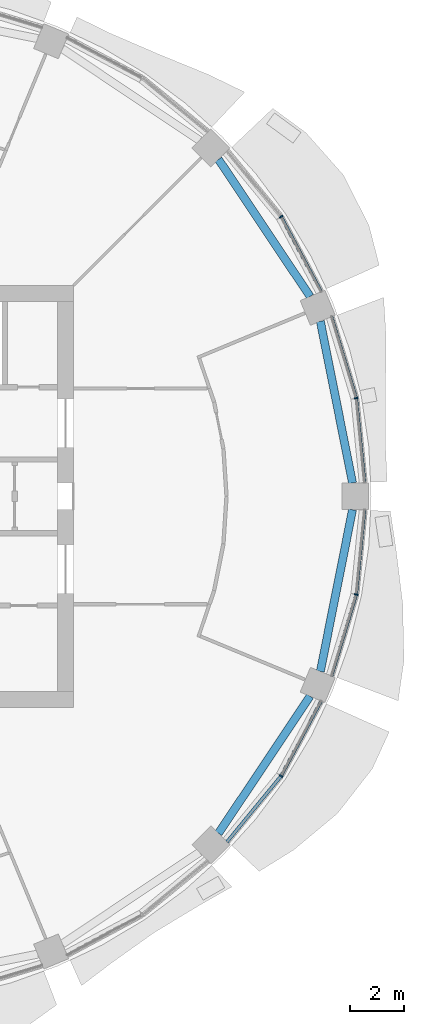
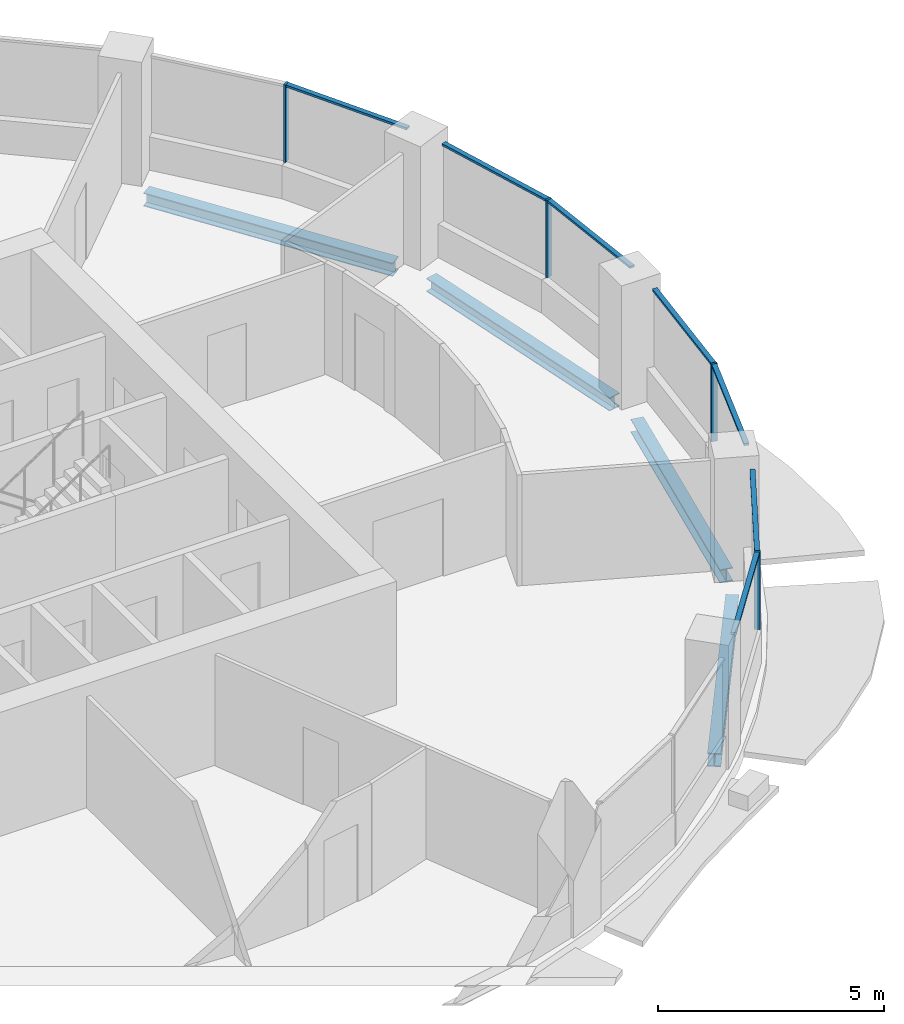
# One storey, part 5 of 15: 11 members, 4 beams, 4 elements without a shape of their own.
"""IFC4 building model written with IfcOpenShell, lengths in metres."""

from ifc_helpers import new_model, si_unit, direction, frame, origin, origin_2d, place, context, subcontext, project, spatial, rectangle, i_section, extrude, material, material_profile, profile_set, type_object, element, aggregate, save


model = new_model("IFC4")

# Units and contexts
model_context = context("Model", 3, precision=1e-05, world=origin(), true_north=direction((0.0, 1.0)))
body_context = subcontext(model_context, "Body", "Model", "MODEL_VIEW")
ifc_project = project(units=[si_unit("LENGTHUNIT", "METRE"), si_unit("AREAUNIT", "SQUARE_METRE"), si_unit("VOLUMEUNIT", "CUBIC_METRE"), si_unit("PLANEANGLEUNIT", "RADIAN"), si_unit("MASSUNIT", "GRAM", prefix="KILO")], contexts=[model_context])

# Site, building, storey
site_placement = place(None, origin())
site = spatial("IfcSite", under=ifc_project, at=site_placement, CompositionType="ELEMENT")
building_placement = place(site_placement, origin())
building = spatial("IfcBuilding", under=site, at=building_placement, Name="Polderwave Tower", CompositionType="ELEMENT")
storey_placement = place(building_placement, frame((0.0, 0.0, 134.35009765625)))
storey = spatial("IfcBuildingStorey", under=building, at=storey_placement, Name="L35", CompositionType="ELEMENT", Elevation=134.35009765625)

# Curtain wall, member
ifc_material_1 = material(Name="Aluminium 6063-T6 and glass", Category="aluminium")
curtain_wall_type = type_object("IfcCurtainWallType", Name="Office ribbon glazing wall", PredefinedType="NOTDEFINED", material=ifc_material_1)
curtain_wall_1_placement = place(storey_placement, origin())
curtain_wall_1 = element("IfcCurtainWall", 1, at=curtain_wall_1_placement, inside=storey, type_object=curtain_wall_type, Name="CW3 L35 00", PredefinedType="NOTDEFINED")
ifc_material_2 = material(Name="Aluminium 6063-T6", Category="aluminium")
ifc_material_profile_1 = material_profile(ifc_material_2, rectangle(XDim=0.139892578125, YDim=0.054931640625, at=origin_2d()), Name="AL 55x140")
ifc_profile_set_1 = profile_set([ifc_material_profile_1], Name="Aluminium 6063-T6")
member_type_1 = type_object("IfcMemberType", Name="Office ribbon glazing mullion 55x140", PredefinedType="MULLION", material=ifc_profile_set_1)
member_1_placement = place(storey_placement, frame((18.4189453125, 3.6640625, 0.89990234375), z_axis=(0.0, 0.0, 1.0), x_axis=(-0.980767570528, -0.195179334461, 0.0)))
member_1 = element("IfcMember", 2, at=member_1_placement, type_object=member_type_1, Name="CW3 mullion 1", PredefinedType="MULLION", context=body_context, shape_type="SweptSolid", body=[
    extrude(rectangle(XDim=0.139892578125, YDim=0.054931640625, at=origin_2d()), origin(), (0.0, 0.0, 1.0), 2.10009765625),
])

curtain_wall_2_placement = place(storey_placement, origin())
curtain_wall_2 = element("IfcCurtainWall", 3, at=curtain_wall_2_placement, inside=storey, type_object=curtain_wall_type, Name="CW3 L35 01", PredefinedType="NOTDEFINED")
member_2_placement = place(storey_placement, frame((15.614990234375, 10.43408203125, 0.89990234375), z_axis=(0.0, 0.0, 1.0), x_axis=(-0.831411428565, -0.555657301267, 0.0)))
member_2 = element("IfcMember", 4, at=member_2_placement, type_object=member_type_1, Name="CW3 mullion 1", PredefinedType="MULLION", context=body_context, shape_type="SweptSolid", body=[
    extrude(rectangle(XDim=0.139892578125, YDim=0.054931640625, at=origin_2d()), origin(), (0.0, 0.0, 1.0), 2.10009765625),
])

curtain_wall_3_placement = place(storey_placement, origin())
curtain_wall_3 = element("IfcCurtainWall", 5, at=curtain_wall_3_placement, inside=storey, type_object=curtain_wall_type, Name="CW3 L35 14", PredefinedType="NOTDEFINED")
member_3_placement = place(storey_placement, frame((15.614990234375, -10.43408203125, 0.89990234375), z_axis=(0.0, 0.0, 1.0), x_axis=(-0.831411428565, 0.555657301267, 0.0)))
member_3 = element("IfcMember", 6, at=member_3_placement, type_object=member_type_1, Name="CW3 mullion 1", PredefinedType="MULLION", context=body_context, shape_type="SweptSolid", body=[
    extrude(rectangle(XDim=0.139892578125, YDim=0.054931640625, at=origin_2d()), origin(), (0.0, 0.0, 1.0), 2.10009765625),
])

curtain_wall_4_placement = place(storey_placement, origin())
curtain_wall_4 = element("IfcCurtainWall", 7, at=curtain_wall_4_placement, inside=storey, type_object=curtain_wall_type, Name="CW3 L35 15", PredefinedType="NOTDEFINED")
member_4_placement = place(storey_placement, frame((18.4189453125, -3.6640625, 0.89990234375), z_axis=(0.0, 0.0, 1.0), x_axis=(-0.980767570528, 0.195179334461, 0.0)))
member_4 = element("IfcMember", 8, at=member_4_placement, type_object=member_type_1, Name="CW3 mullion 1", PredefinedType="MULLION", context=body_context, shape_type="SweptSolid", body=[
    extrude(rectangle(XDim=0.139892578125, YDim=0.054931640625, at=origin_2d()), origin(), (0.0, 0.0, 1.0), 2.10009765625),
])

# Member
ifc_material_profile_2 = material_profile(ifc_material_2, rectangle(XDim=0.1201171875, YDim=0.06005859375, at=origin_2d()), Name="AL 60x120")
ifc_profile_set_2 = profile_set([ifc_material_profile_2], Name="Aluminium 6063-T6")
member_type_2 = type_object("IfcMemberType", Name="Office ribbon glazing transom 60x120", PredefinedType="USERDEFINED", material=ifc_profile_set_2)
member_5_placement = place(storey_placement, frame((18.73095703125, 0.5, 2.969970703125), z_axis=(-0.09813853445, 0.995172762919, 0.0), x_axis=(-0.995172762919, -0.09813853445, 0.0)))
member_5 = element("IfcMember", 9, at=member_5_placement, type_object=member_type_2, Name="CW3 transom 1", ObjectType="TRANSOM", PredefinedType="USERDEFINED", context=body_context, shape_type="SweptSolid", body=[
    extrude(rectangle(XDim=0.1201171875, YDim=0.06005859375, at=origin_2d()), origin(), (0.0, 0.0, 1.0), 3.15185546875),
])

member_6_placement = place(storey_placement, frame((18.410888671875, 3.690185546875, 2.969970703125), z_axis=(-0.290267539602, 0.956945534215, 0.0), x_axis=(-0.956945534215, -0.290267539602, 0.0)))
member_6 = element("IfcMember", 10, at=member_6_placement, type_object=member_type_2, Name="CW3 transom 2", ObjectType="TRANSOM", PredefinedType="USERDEFINED", context=body_context, shape_type="SweptSolid", body=[
    extrude(rectangle(XDim=0.1201171875, YDim=0.06005859375, at=origin_2d()), origin(), (0.0, 0.0, 1.0), 3.151611328125),
])

aggregate(curtain_wall_1, [member_1, member_5, member_6])

member_7_placement = place(storey_placement, frame((17.114013671875, 7.6298828125, 2.969970703125), z_axis=(-0.471460363877, 0.88188725203, 0.0), x_axis=(-0.88188725203, -0.471460363877, 0.0)))
member_7 = element("IfcMember", 11, at=member_7_placement, type_object=member_type_2, Name="CW3 transom 1", ObjectType="TRANSOM", PredefinedType="USERDEFINED", context=body_context, shape_type="SweptSolid", body=[
    extrude(rectangle(XDim=0.1201171875, YDim=0.06005859375, at=origin_2d()), origin(), (0.0, 0.0, 1.0), 3.152099609375),
])

aggregate(curtain_wall_2, [member_2, member_7])

member_8_placement = place(storey_placement, frame((13.597900390625, -12.89111328125, 2.969970703125), z_axis=(0.634536204131, 0.772893139863, 0.0), x_axis=(-0.772893139863, 0.634536204131, 0.0)))
member_8 = element("IfcMember", 12, at=member_8_placement, type_object=member_type_2, Name="CW3 transom 1", ObjectType="TRANSOM", PredefinedType="USERDEFINED", context=body_context, shape_type="SweptSolid", body=[
    extrude(rectangle(XDim=0.1201171875, YDim=0.06005859375, at=origin_2d()), origin(), (0.0, 0.0, 1.0), 3.151611328125),
])

member_9_placement = place(storey_placement, frame((15.6279296875, -10.40966796875, 2.969970703125), z_axis=(0.471460363877, 0.88188725203, 0.0), x_axis=(-0.88188725203, 0.471460363877, 0.0)))
member_9 = element("IfcMember", 13, at=member_9_placement, type_object=member_type_2, Name="CW3 transom 2", ObjectType="TRANSOM", PredefinedType="USERDEFINED", context=body_context, shape_type="SweptSolid", body=[
    extrude(rectangle(XDim=0.1201171875, YDim=0.06005859375, at=origin_2d()), origin(), (0.0, 0.0, 1.0), 3.152099609375),
])

aggregate(curtain_wall_3, [member_3, member_8, member_9])

member_10_placement = place(storey_placement, frame((17.49609375, -6.7060546875, 2.969970703125), z_axis=(0.290267539602, 0.956945534215, 0.0), x_axis=(-0.956945534215, 0.290267539602, 0.0)))
member_10 = element("IfcMember", 14, at=member_10_placement, type_object=member_type_2, Name="CW3 transom 1", ObjectType="TRANSOM", PredefinedType="USERDEFINED", context=body_context, shape_type="SweptSolid", body=[
    extrude(rectangle(XDim=0.1201171875, YDim=0.06005859375, at=origin_2d()), origin(), (0.0, 0.0, 1.0), 3.151611328125),
])

member_11_placement = place(storey_placement, frame((18.421630859375, -3.63671875, 2.969970703125), z_axis=(0.09813853445, 0.995172762919, 0.0), x_axis=(-0.995172762919, 0.09813853445, 0.0)))
member_11 = element("IfcMember", 15, at=member_11_placement, type_object=member_type_2, Name="CW3 transom 2", ObjectType="TRANSOM", PredefinedType="USERDEFINED", context=body_context, shape_type="SweptSolid", body=[
    extrude(rectangle(XDim=0.1201171875, YDim=0.06005859375, at=origin_2d()), origin(), (0.0, 0.0, 1.0), 3.15185546875),
])

aggregate(curtain_wall_4, [member_4, member_10, member_11])

# Beams
ifc_material_3 = material(Name="Steel S355", Category="steel")
ifc_material_profile_3 = material_profile(ifc_material_3, i_section(OverallWidth=0.300048828125, OverallDepth=0.360107421875, WebThickness=0.012451171875, FlangeThickness=0.0224609375, at=origin_2d()), Name="HE 360 B")
ifc_profile_set_3 = profile_set([ifc_material_profile_3], Name="Steel S355")
beam_type = type_object("IfcBeamType", Name="RING BEAM HE 360 B", PredefinedType="BEAM", material=ifc_profile_set_3)
beam_1_placement = place(storey_placement, frame((18.280517578125, 0.5, -0.530029296875), z_axis=(-0.195093366566, 0.9807846748, 0.0), x_axis=(-0.9807846748, -0.195093366566, 0.0)))
element("IfcBeam", 16, at=beam_1_placement, inside=storey, type_object=beam_type, Name="ST-RB-L35-00", PredefinedType="BEAM", context=body_context, shape_type="SweptSolid", body=[
    extrude(i_section(OverallWidth=0.300048828125, OverallDepth=0.360107421875, WebThickness=0.012451171875, FlangeThickness=0.0224609375, at=origin_2d()), origin(), (0.0, 0.0, 1.0), 6.15185546875),
])
for number, where, z_axis, x_axis, name in (
    (17, (16.69775390625, 7.45751953125, -0.530029296875), (-0.555579044629, 0.831463724506, 0.0), (-0.831463724506, -0.555579044629, 0.0), "ST-RB-L35-01"),
    (18, (13.27978515625, -12.57275390625, -0.530029296875), (0.555579044629, 0.831463724506, 0.0), (-0.831463724506, 0.555579044629, 0.0), "ST-RB-L35-14"),
):
    element("IfcBeam", number, at=place(storey_placement, frame(where, z_axis=z_axis, x_axis=x_axis)), inside=storey, type_object=beam_type, Name=name, PredefinedType="BEAM", context=body_context, shape_type="SweptSolid", body=[
        extrude(i_section(OverallWidth=0.300048828125, OverallDepth=0.360107421875, WebThickness=0.012451171875, FlangeThickness=0.0224609375, at=origin_2d()), origin(), (0.0, 0.0, 1.0), 6.152099609375),
    ])
beam_2_placement = place(storey_placement, frame((17.080322265625, -6.53369140625, -0.530029296875), z_axis=(0.195093366566, 0.9807846748, 0.0), x_axis=(-0.9807846748, 0.195093366566, 0.0)))
element("IfcBeam", 19, at=beam_2_placement, inside=storey, type_object=beam_type, Name="ST-RB-L35-15", PredefinedType="BEAM", context=body_context, shape_type="SweptSolid", body=[
    extrude(i_section(OverallWidth=0.300048828125, OverallDepth=0.360107421875, WebThickness=0.012451171875, FlangeThickness=0.0224609375, at=origin_2d()), origin(), (0.0, 0.0, 1.0), 6.15185546875),
])

save(model, "model.ifc")
